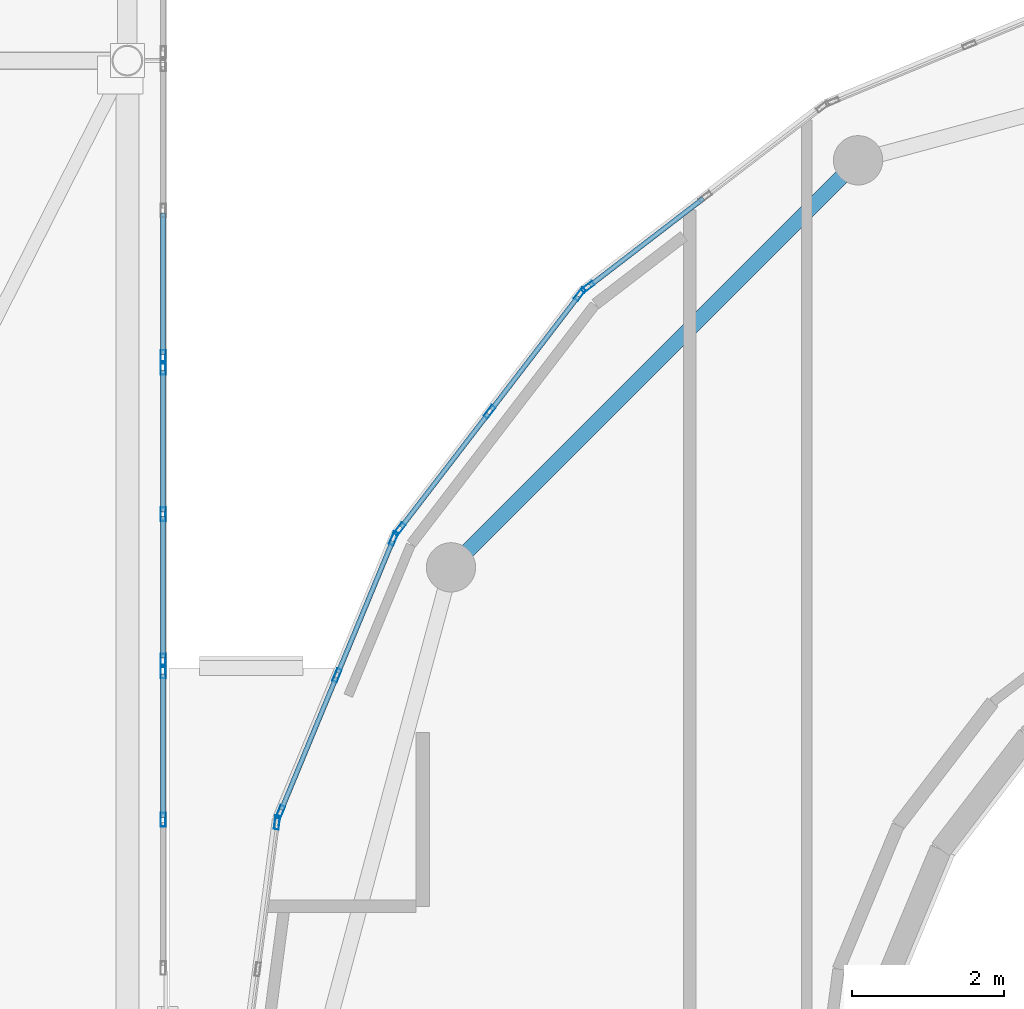
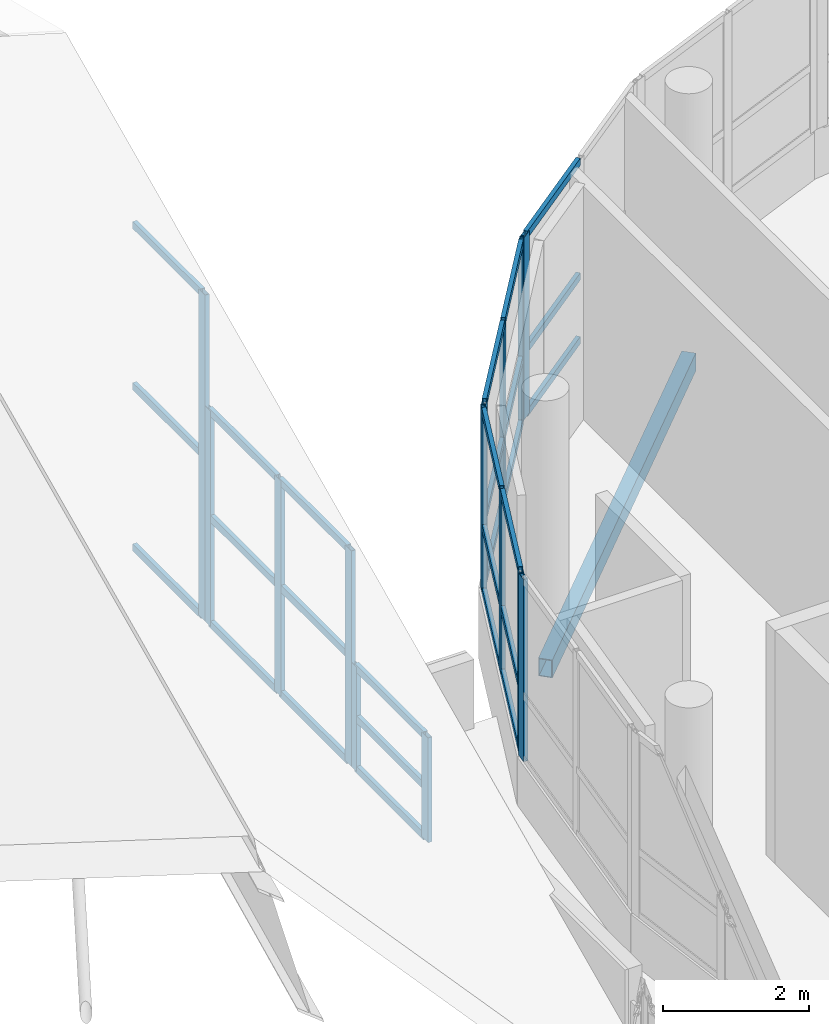
# One storey, part 59 of 184: 41 members, 1 beam, 7 elements without a shape of their own.
"""IFC4 building model written with IfcOpenShell, lengths in metres."""

from ifc_helpers import new_model, si_unit, direction, frame, origin, origin_2d, place, context, subcontext, project, spatial, hollow_rectangle, extrude, material, material_profile, profile_set, type_object, element, aggregate, save


model = new_model("IFC4")

# Units and contexts
model_context = context("Model", 3, precision=1e-05, world=origin(), true_north=direction((0.0, 1.0)))
body_context = subcontext(model_context, "Body", "Model", "MODEL_VIEW")
ifc_project = project(units=[si_unit("LENGTHUNIT", "METRE"), si_unit("AREAUNIT", "SQUARE_METRE"), si_unit("VOLUMEUNIT", "CUBIC_METRE"), si_unit("PLANEANGLEUNIT", "RADIAN"), si_unit("MASSUNIT", "GRAM", prefix="KILO")], contexts=[model_context])

# Site, building, storey
site_placement = place(None, origin())
site = spatial("IfcSite", under=ifc_project, at=site_placement, CompositionType="ELEMENT")
building_placement = place(site_placement, origin())
building = spatial("IfcBuilding", under=site, at=building_placement, Name="Selatvlak General Hospital", CompositionType="ELEMENT")
storey_placement = place(building_placement, frame((0.0, 0.0, 15.0)))
storey = spatial("IfcBuildingStorey", under=building, at=storey_placement, Name="L03", CompositionType="ELEMENT", Elevation=15.0)

# Beam
ifc_material_1 = material(Name="Steel S355", Category="steel")
ifc_material_profile_1 = material_profile(ifc_material_1, hollow_rectangle(XDim=0.199951171875, YDim=0.300048828125, WallThickness=0.011962890625, at=origin_2d()), Name="RHS 300x200x12")
ifc_profile_set_1 = profile_set([ifc_material_profile_1], Name="Steel S355")
beam_type = type_object("IfcBeamType", Name="BM-SP3", PredefinedType="SPANDREL", material=ifc_profile_set_1)
beam_placement = place(storey_placement, frame((90.675048828125, 66.68701171875, -0.489990234375), z_axis=(-0.707106781187, -0.707106781187, 0.0), x_axis=(0.707106781187, -0.707106781187, 0.0)))
element("IfcBeam", 1, at=beam_placement, inside=storey, type_object=beam_type, Name="Beam BMR-L03-1455", PredefinedType="SPANDREL", context=body_context, shape_type="SweptSolid", body=[
    extrude(hollow_rectangle(XDim=0.199951171875, YDim=0.300048828125, WallThickness=0.011962890625, at=origin_2d()), origin(), (0.0, 0.0, 1.0), 7.5830078125),
])

# Curtain wall, member
ifc_material_2 = material(Name="Solar-control Low-E double glazing", Category="glass")
curtain_wall_type_1 = type_object("IfcCurtainWallType", Name="CW-CW-04", PredefinedType="USERDEFINED", material=ifc_material_2)
curtain_wall_1_placement = place(storey_placement, origin())
curtain_wall_1 = element("IfcCurtainWall", 2, at=curtain_wall_1_placement, inside=storey, type_object=curtain_wall_type_1, Name="Glazed facade curtain wall CW-L03-0463", ObjectType="STICK GLAZING WALL", PredefinedType="USERDEFINED")
ifc_material_3 = material(Name="Dark anodised aluminium mullion", Category="aluminium")
ifc_material_profile_2 = material_profile(ifc_material_3, hollow_rectangle(XDim=0.06494140625, YDim=0.179931640625, WallThickness=0.00439453125, at=origin_2d()), Name="AL-MUL 65x180x4.5")
ifc_profile_set_2 = profile_set([ifc_material_profile_2], Name="Dark anodised aluminium mullion")
member_type_1 = type_object("IfcMemberType", Name="CWM-02", PredefinedType="MULLION", material=ifc_profile_set_2)
member_1_placement = place(storey_placement, frame((83.021728515625, 57.9638671875, 0.85009765625), z_axis=(0.0, 0.0, 1.0), x_axis=(-0.991466306804, 0.130363194467, 0.0)))
member_1 = element("IfcMember", 3, at=member_1_placement, type_object=member_type_1, Name="CW-04 mullion 3", PredefinedType="MULLION", context=body_context, shape_type="SweptSolid", body=[
    extrude(hollow_rectangle(XDim=0.06494140625, YDim=0.179931640625, WallThickness=0.00439453125, at=origin_2d()), origin(), (0.0, 0.0, 1.0), 3.044921875),
])
aggregate(curtain_wall_1, [member_1])

# Curtain wall, members
curtain_wall_type_2 = type_object("IfcCurtainWallType", Name="CW-CW-05", PredefinedType="USERDEFINED", material=ifc_material_2)
curtain_wall_2_placement = place(storey_placement, origin())
curtain_wall_2 = element("IfcCurtainWall", 4, at=curtain_wall_2_placement, inside=storey, type_object=curtain_wall_type_2, Name="Glazed facade curtain wall CW-L03-0464", ObjectType="STICK GLAZING WALL", PredefinedType="USERDEFINED")
member_2_placement = place(storey_placement, frame((83.0654296875, 58.10107421875, 0.85009765625), z_axis=(0.0, 0.0, 1.0), x_axis=(-0.92394001164, 0.382537390187, 0.0)))
member_2 = element("IfcMember", 5, at=member_2_placement, type_object=member_type_1, Name="CW-05 mullion 1", PredefinedType="MULLION", context=body_context, shape_type="SweptSolid", body=[
    extrude(hollow_rectangle(XDim=0.06494140625, YDim=0.179931640625, WallThickness=0.00439453125, at=origin_2d()), origin(), (0.0, 0.0, 1.0), 3.044921875),
])
member_3_placement = place(storey_placement, frame((83.8115234375, 59.903076171875, 0.85009765625), z_axis=(0.0, 0.0, 1.0), x_axis=(-0.92394001164, 0.382537390187, 0.0)))
member_3 = element("IfcMember", 6, at=member_3_placement, type_object=member_type_1, Name="CW-05 mullion 2", PredefinedType="MULLION", context=body_context, shape_type="SweptSolid", body=[
    extrude(hollow_rectangle(XDim=0.06494140625, YDim=0.179931640625, WallThickness=0.00439453125, at=origin_2d()), origin(), (0.0, 0.0, 1.0), 3.044921875),
])
member_4_placement = place(storey_placement, frame((84.5576171875, 61.705078125, 0.85009765625), z_axis=(0.0, 0.0, 1.0), x_axis=(-0.92394001164, 0.382537390187, 0.0)))
member_4 = element("IfcMember", 7, at=member_4_placement, type_object=member_type_1, Name="CW-05 mullion 3", PredefinedType="MULLION", context=body_context, shape_type="SweptSolid", body=[
    extrude(hollow_rectangle(XDim=0.06494140625, YDim=0.179931640625, WallThickness=0.00439453125, at=origin_2d()), origin(), (0.0, 0.0, 1.0), 3.044921875),
])

curtain_wall_3_placement = place(storey_placement, origin())
curtain_wall_3 = element("IfcCurtainWall", 8, at=curtain_wall_3_placement, inside=storey, type_object=curtain_wall_type_1, Name="Glazed facade curtain wall CW-L03-0465", ObjectType="STICK GLAZING WALL", PredefinedType="USERDEFINED")
member_5_placement = place(storey_placement, frame((84.634765625, 61.82666015625, 0.85009765625), z_axis=(0.0, 0.0, 1.0), x_axis=(-0.793232853917, 0.608918417743, 0.0)))
member_5 = element("IfcMember", 9, at=member_5_placement, type_object=member_type_1, Name="CW-04 mullion 1", PredefinedType="MULLION", context=body_context, shape_type="SweptSolid", body=[
    extrude(hollow_rectangle(XDim=0.06494140625, YDim=0.179931640625, WallThickness=0.00439453125, at=origin_2d()), origin(), (0.0, 0.0, 1.0), 3.044921875),
])
member_6_placement = place(storey_placement, frame((85.822509765625, 63.3740234375, 0.85009765625), z_axis=(0.0, 0.0, 1.0), x_axis=(-0.793232853917, 0.608918417743, 0.0)))
member_6 = element("IfcMember", 10, at=member_6_placement, type_object=member_type_1, Name="CW-04 mullion 2", PredefinedType="MULLION", context=body_context, shape_type="SweptSolid", body=[
    extrude(hollow_rectangle(XDim=0.06494140625, YDim=0.179931640625, WallThickness=0.00439453125, at=origin_2d()), origin(), (0.0, 0.0, 1.0), 3.044921875),
])
member_7_placement = place(storey_placement, frame((87.01025390625, 64.921142578125, 0.85009765625), z_axis=(0.0, 0.0, 1.0), x_axis=(-0.793232853917, 0.608918417743, 0.0)))
member_7 = element("IfcMember", 11, at=member_7_placement, type_object=member_type_1, Name="CW-04 mullion 3", PredefinedType="MULLION", context=body_context, shape_type="SweptSolid", body=[
    extrude(hollow_rectangle(XDim=0.06494140625, YDim=0.179931640625, WallThickness=0.00439453125, at=origin_2d()), origin(), (0.0, 0.0, 1.0), 3.044921875),
])

# Curtain wall, member
curtain_wall_4_placement = place(storey_placement, origin())
curtain_wall_4 = element("IfcCurtainWall", 12, at=curtain_wall_4_placement, inside=storey, type_object=curtain_wall_type_2, Name="Glazed facade curtain wall CW-L03-0466", ObjectType="STICK GLAZING WALL", PredefinedType="USERDEFINED")
member_8_placement = place(storey_placement, frame((87.11669921875, 65.017822265625, 0.85009765625), z_axis=(0.0, 0.0, 1.0), x_axis=(-0.608918417743, 0.793232853917, 0.0)))
member_8 = element("IfcMember", 13, at=member_8_placement, type_object=member_type_1, Name="CW-05 mullion 1", PredefinedType="MULLION", context=body_context, shape_type="SweptSolid", body=[
    extrude(hollow_rectangle(XDim=0.06494140625, YDim=0.179931640625, WallThickness=0.00439453125, at=origin_2d()), origin(), (0.0, 0.0, 1.0), 3.044921875),
])

# Curtain wall, members
curtain_wall_5_placement = place(storey_placement, origin())
curtain_wall_5 = element("IfcCurtainWall", 14, at=curtain_wall_5_placement, inside=storey, type_object=curtain_wall_type_2, Name="Glazed facade curtain wall CW-L03-0730", ObjectType="STICK GLAZING WALL", PredefinedType="USERDEFINED")
member_9_placement = place(storey_placement, frame((81.52001953125, 58.0, 0.0), z_axis=(0.0, 0.0, 1.0), x_axis=(-1.0, 0.0, 0.0)))
member_9 = element("IfcMember", 15, at=member_9_placement, type_object=member_type_1, Name="CW-05 mullion 2", PredefinedType="MULLION", context=body_context, shape_type="SweptSolid", body=[
    extrude(hollow_rectangle(XDim=0.06494140625, YDim=0.179931640625, WallThickness=0.00439453125, at=origin_2d()), origin(), (0.0, 0.0, 1.0), 1.75),
])
member_10_placement = place(storey_placement, frame((81.52001953125, 59.952392578125, 0.0), z_axis=(0.0, 0.0, 1.0), x_axis=(-1.0, 0.0, 0.0)))
member_10 = element("IfcMember", 16, at=member_10_placement, type_object=member_type_1, Name="CW-05 mullion 3", PredefinedType="MULLION", context=body_context, shape_type="SweptSolid", body=[
    extrude(hollow_rectangle(XDim=0.06494140625, YDim=0.179931640625, WallThickness=0.00439453125, at=origin_2d()), origin(), (0.0, 0.0, 1.0), 1.75),
])

curtain_wall_6_placement = place(storey_placement, origin())
curtain_wall_6 = element("IfcCurtainWall", 17, at=curtain_wall_6_placement, inside=storey, type_object=curtain_wall_type_2, Name="Glazed facade curtain wall CW-L03-0731", ObjectType="STICK GLAZING WALL", PredefinedType="USERDEFINED")
member_11_placement = place(storey_placement, frame((81.52001953125, 60.097412109375, 0.0), z_axis=(0.0, 0.0, 1.0), x_axis=(-1.0, 0.0, 0.0)))
member_11 = element("IfcMember", 18, at=member_11_placement, type_object=member_type_1, Name="CW-05 mullion 1", PredefinedType="MULLION", context=body_context, shape_type="SweptSolid", body=[
    extrude(hollow_rectangle(XDim=0.06494140625, YDim=0.179931640625, WallThickness=0.00439453125, at=origin_2d()), origin(), (0.0, 0.0, 1.0), 3.60009765625),
])
member_12_placement = place(storey_placement, frame((81.52001953125, 62.02490234375, 0.0), z_axis=(0.0, 0.0, 1.0), x_axis=(-1.0, 0.0, 0.0)))
member_12 = element("IfcMember", 19, at=member_12_placement, type_object=member_type_1, Name="CW-05 mullion 2", PredefinedType="MULLION", context=body_context, shape_type="SweptSolid", body=[
    extrude(hollow_rectangle(XDim=0.06494140625, YDim=0.179931640625, WallThickness=0.00439453125, at=origin_2d()), origin(), (0.0, 0.0, 1.0), 3.60009765625),
])
member_13_placement = place(storey_placement, frame((81.52001953125, 63.952392578125, 0.0), z_axis=(0.0, 0.0, 1.0), x_axis=(-1.0, 0.0, 0.0)))
member_13 = element("IfcMember", 20, at=member_13_placement, type_object=member_type_1, Name="CW-05 mullion 3", PredefinedType="MULLION", context=body_context, shape_type="SweptSolid", body=[
    extrude(hollow_rectangle(XDim=0.06494140625, YDim=0.179931640625, WallThickness=0.00439453125, at=origin_2d()), origin(), (0.0, 0.0, 1.0), 3.60009765625),
])

# Curtain wall, member
curtain_wall_7_placement = place(storey_placement, origin())
curtain_wall_7 = element("IfcCurtainWall", 21, at=curtain_wall_7_placement, inside=storey, type_object=curtain_wall_type_2, Name="Glazed facade curtain wall CW-L03-0732", ObjectType="STICK GLAZING WALL", PredefinedType="USERDEFINED")
member_14_placement = place(storey_placement, frame((81.52001953125, 64.097412109375, 0.0), z_axis=(0.0, 0.0, 1.0), x_axis=(-1.0, 0.0, 0.0)))
member_14 = element("IfcMember", 22, at=member_14_placement, type_object=member_type_1, Name="CW-05 mullion 1", PredefinedType="MULLION", context=body_context, shape_type="SweptSolid", body=[
    extrude(hollow_rectangle(XDim=0.06494140625, YDim=0.179931640625, WallThickness=0.00439453125, at=origin_2d()), origin(), (0.0, 0.0, 1.0), 5.449951171875),
])

# Member
ifc_material_profile_3 = material_profile(ifc_material_3, hollow_rectangle(XDim=0.06494140625, YDim=0.1201171875, WallThickness=0.00390625, at=origin_2d()), Name="AL-TRN 65x120x4")
ifc_profile_set_3 = profile_set([ifc_material_profile_3], Name="Dark anodised aluminium mullion")
member_type_2 = type_object("IfcMemberType", Name="CWT-01", PredefinedType="USERDEFINED", material=ifc_profile_set_3)
member_15_placement = place(storey_placement, frame((83.077880859375, 58.131103515625, 0.882568359375), z_axis=(0.382527162335, 0.923944246195, 0.0), x_axis=(-0.923944246195, 0.382527162335, 0.0)))
member_15 = element("IfcMember", 23, at=member_15_placement, type_object=member_type_2, Name="CW-05 transom 1.1", ObjectType="TRANSOM", PredefinedType="USERDEFINED", context=body_context, shape_type="SweptSolid", body=[
    extrude(hollow_rectangle(XDim=0.06494140625, YDim=0.1201171875, WallThickness=0.00390625, at=origin_2d()), origin(), (0.0, 0.0, 1.0), 1.88525390625),
])

member_16_placement = place(storey_placement, frame((83.077880859375, 58.131103515625, 1.947021484375), z_axis=(0.382527162335, 0.923944246195, 0.0), x_axis=(-0.923944246195, 0.382527162335, 0.0)))
member_16 = element("IfcMember", 24, at=member_16_placement, type_object=member_type_2, Name="CW-05 transom 1.2", ObjectType="TRANSOM", PredefinedType="USERDEFINED", context=body_context, shape_type="SweptSolid", body=[
    extrude(hollow_rectangle(XDim=0.06494140625, YDim=0.1201171875, WallThickness=0.00390625, at=origin_2d()), origin(), (0.0, 0.0, 1.0), 1.88525390625),
])

member_17_placement = place(storey_placement, frame((83.077880859375, 58.131103515625, 3.862548828125), z_axis=(0.382527162335, 0.923944246195, 0.0), x_axis=(-0.923944246195, 0.382527162335, 0.0)))
member_17 = element("IfcMember", 25, at=member_17_placement, type_object=member_type_2, Name="CW-05 transom 1.3", ObjectType="TRANSOM", PredefinedType="USERDEFINED", context=body_context, shape_type="SweptSolid", body=[
    extrude(hollow_rectangle(XDim=0.06494140625, YDim=0.1201171875, WallThickness=0.00390625, at=origin_2d()), origin(), (0.0, 0.0, 1.0), 1.88525390625),
])

member_18_placement = place(storey_placement, frame((83.823974609375, 59.93310546875, 0.882568359375), z_axis=(0.382527162335, 0.923944246195, 0.0), x_axis=(-0.923944246195, 0.382527162335, 0.0)))
member_18 = element("IfcMember", 26, at=member_18_placement, type_object=member_type_2, Name="CW-05 transom 2.1", ObjectType="TRANSOM", PredefinedType="USERDEFINED", context=body_context, shape_type="SweptSolid", body=[
    extrude(hollow_rectangle(XDim=0.06494140625, YDim=0.1201171875, WallThickness=0.00390625, at=origin_2d()), origin(), (0.0, 0.0, 1.0), 1.88525390625),
])

member_19_placement = place(storey_placement, frame((83.823974609375, 59.93310546875, 1.947021484375), z_axis=(0.382527162335, 0.923944246195, 0.0), x_axis=(-0.923944246195, 0.382527162335, 0.0)))
member_19 = element("IfcMember", 27, at=member_19_placement, type_object=member_type_2, Name="CW-05 transom 2.2", ObjectType="TRANSOM", PredefinedType="USERDEFINED", context=body_context, shape_type="SweptSolid", body=[
    extrude(hollow_rectangle(XDim=0.06494140625, YDim=0.1201171875, WallThickness=0.00390625, at=origin_2d()), origin(), (0.0, 0.0, 1.0), 1.88525390625),
])

member_20_placement = place(storey_placement, frame((83.823974609375, 59.93310546875, 3.862548828125), z_axis=(0.382527162335, 0.923944246195, 0.0), x_axis=(-0.923944246195, 0.382527162335, 0.0)))
member_20 = element("IfcMember", 28, at=member_20_placement, type_object=member_type_2, Name="CW-05 transom 2.3", ObjectType="TRANSOM", PredefinedType="USERDEFINED", context=body_context, shape_type="SweptSolid", body=[
    extrude(hollow_rectangle(XDim=0.06494140625, YDim=0.1201171875, WallThickness=0.00390625, at=origin_2d()), origin(), (0.0, 0.0, 1.0), 1.88525390625),
])

aggregate(curtain_wall_2, [member_2, member_3, member_4, member_15, member_16, member_17, member_18, member_19, member_20])

member_21_placement = place(storey_placement, frame((84.654541015625, 61.8525390625, 0.882568359375), z_axis=(0.608953326487, 0.793206055297, 0.0), x_axis=(-0.793206055297, 0.608953326487, 0.0)))
member_21 = element("IfcMember", 29, at=member_21_placement, type_object=member_type_2, Name="CW-04 transom 1.1", ObjectType="TRANSOM", PredefinedType="USERDEFINED", context=body_context, shape_type="SweptSolid", body=[
    extrude(hollow_rectangle(XDim=0.06494140625, YDim=0.1201171875, WallThickness=0.00390625, at=origin_2d()), origin(), (0.0, 0.0, 1.0), 1.885498046875),
])

member_22_placement = place(storey_placement, frame((84.654541015625, 61.8525390625, 1.947021484375), z_axis=(0.608953326487, 0.793206055297, 0.0), x_axis=(-0.793206055297, 0.608953326487, 0.0)))
member_22 = element("IfcMember", 30, at=member_22_placement, type_object=member_type_2, Name="CW-04 transom 1.2", ObjectType="TRANSOM", PredefinedType="USERDEFINED", context=body_context, shape_type="SweptSolid", body=[
    extrude(hollow_rectangle(XDim=0.06494140625, YDim=0.1201171875, WallThickness=0.00390625, at=origin_2d()), origin(), (0.0, 0.0, 1.0), 1.885498046875),
])

member_23_placement = place(storey_placement, frame((84.654541015625, 61.8525390625, 3.862548828125), z_axis=(0.608953326487, 0.793206055297, 0.0), x_axis=(-0.793206055297, 0.608953326487, 0.0)))
member_23 = element("IfcMember", 31, at=member_23_placement, type_object=member_type_2, Name="CW-04 transom 1.3", ObjectType="TRANSOM", PredefinedType="USERDEFINED", context=body_context, shape_type="SweptSolid", body=[
    extrude(hollow_rectangle(XDim=0.06494140625, YDim=0.1201171875, WallThickness=0.00390625, at=origin_2d()), origin(), (0.0, 0.0, 1.0), 1.885498046875),
])

member_24_placement = place(storey_placement, frame((85.84228515625, 63.399658203125, 0.882568359375), z_axis=(0.608890787968, 0.793254062913, 0.0), x_axis=(-0.793254062913, 0.608890787968, 0.0)))
member_24 = element("IfcMember", 32, at=member_24_placement, type_object=member_type_2, Name="CW-04 transom 2.1", ObjectType="TRANSOM", PredefinedType="USERDEFINED", context=body_context, shape_type="SweptSolid", body=[
    extrude(hollow_rectangle(XDim=0.06494140625, YDim=0.1201171875, WallThickness=0.00390625, at=origin_2d()), origin(), (0.0, 0.0, 1.0), 1.8857421875),
])

member_25_placement = place(storey_placement, frame((85.84228515625, 63.399658203125, 1.947021484375), z_axis=(0.608890787968, 0.793254062913, 0.0), x_axis=(-0.793254062913, 0.608890787968, 0.0)))
member_25 = element("IfcMember", 33, at=member_25_placement, type_object=member_type_2, Name="CW-04 transom 2.2", ObjectType="TRANSOM", PredefinedType="USERDEFINED", context=body_context, shape_type="SweptSolid", body=[
    extrude(hollow_rectangle(XDim=0.06494140625, YDim=0.1201171875, WallThickness=0.00390625, at=origin_2d()), origin(), (0.0, 0.0, 1.0), 1.8857421875),
])

member_26_placement = place(storey_placement, frame((85.84228515625, 63.399658203125, 3.862548828125), z_axis=(0.608890787968, 0.793254062913, 0.0), x_axis=(-0.793254062913, 0.608890787968, 0.0)))
member_26 = element("IfcMember", 34, at=member_26_placement, type_object=member_type_2, Name="CW-04 transom 2.3", ObjectType="TRANSOM", PredefinedType="USERDEFINED", context=body_context, shape_type="SweptSolid", body=[
    extrude(hollow_rectangle(XDim=0.06494140625, YDim=0.1201171875, WallThickness=0.00390625, at=origin_2d()), origin(), (0.0, 0.0, 1.0), 1.8857421875),
])

aggregate(curtain_wall_3, [member_5, member_6, member_7, member_21, member_22, member_23, member_24, member_25, member_26])

member_27_placement = place(storey_placement, frame((87.142578125, 65.03759765625, 0.882568359375), z_axis=(0.793206055297, 0.608953326487, 0.0), x_axis=(-0.608953326487, 0.793206055297, 0.0)))
member_27 = element("IfcMember", 35, at=member_27_placement, type_object=member_type_2, Name="CW-05 transom 1.1", ObjectType="TRANSOM", PredefinedType="USERDEFINED", context=body_context, shape_type="SweptSolid", body=[
    extrude(hollow_rectangle(XDim=0.06494140625, YDim=0.1201171875, WallThickness=0.00390625, at=origin_2d()), origin(), (0.0, 0.0, 1.0), 1.885498046875),
])

member_28_placement = place(storey_placement, frame((87.142578125, 65.03759765625, 1.947021484375), z_axis=(0.793206055297, 0.608953326487, 0.0), x_axis=(-0.608953326487, 0.793206055297, 0.0)))
member_28 = element("IfcMember", 36, at=member_28_placement, type_object=member_type_2, Name="CW-05 transom 1.2", ObjectType="TRANSOM", PredefinedType="USERDEFINED", context=body_context, shape_type="SweptSolid", body=[
    extrude(hollow_rectangle(XDim=0.06494140625, YDim=0.1201171875, WallThickness=0.00390625, at=origin_2d()), origin(), (0.0, 0.0, 1.0), 1.885498046875),
])

member_29_placement = place(storey_placement, frame((87.142578125, 65.03759765625, 3.862548828125), z_axis=(0.793206055297, 0.608953326487, 0.0), x_axis=(-0.608953326487, 0.793206055297, 0.0)))
member_29 = element("IfcMember", 37, at=member_29_placement, type_object=member_type_2, Name="CW-05 transom 1.3", ObjectType="TRANSOM", PredefinedType="USERDEFINED", context=body_context, shape_type="SweptSolid", body=[
    extrude(hollow_rectangle(XDim=0.06494140625, YDim=0.1201171875, WallThickness=0.00390625, at=origin_2d()), origin(), (0.0, 0.0, 1.0), 1.885498046875),
])

aggregate(curtain_wall_4, [member_8, member_27, member_28, member_29])

member_30_placement = place(storey_placement, frame((81.52001953125, 58.032470703125, 0.032470703125), z_axis=(0.0, 1.0, 0.0), x_axis=(-1.0, 0.0, 0.0)))
member_30 = element("IfcMember", 38, at=member_30_placement, type_object=member_type_2, Name="CW-05 transom 2.1", ObjectType="TRANSOM", PredefinedType="USERDEFINED", context=body_context, shape_type="SweptSolid", body=[
    extrude(hollow_rectangle(XDim=0.06494140625, YDim=0.1201171875, WallThickness=0.00390625, at=origin_2d()), origin(), (0.0, 0.0, 1.0), 1.887451171875),
])

member_31_placement = place(storey_placement, frame((81.52001953125, 58.032470703125, 0.875), z_axis=(0.0, 1.0, 0.0), x_axis=(-1.0, 0.0, 0.0)))
member_31 = element("IfcMember", 39, at=member_31_placement, type_object=member_type_2, Name="CW-05 transom 2.2", ObjectType="TRANSOM", PredefinedType="USERDEFINED", context=body_context, shape_type="SweptSolid", body=[
    extrude(hollow_rectangle(XDim=0.06494140625, YDim=0.1201171875, WallThickness=0.00390625, at=origin_2d()), origin(), (0.0, 0.0, 1.0), 1.887451171875),
])

member_32_placement = place(storey_placement, frame((81.52001953125, 58.032470703125, 1.717529296875), z_axis=(0.0, 1.0, 0.0), x_axis=(-1.0, 0.0, 0.0)))
member_32 = element("IfcMember", 40, at=member_32_placement, type_object=member_type_2, Name="CW-05 transom 2.3", ObjectType="TRANSOM", PredefinedType="USERDEFINED", context=body_context, shape_type="SweptSolid", body=[
    extrude(hollow_rectangle(XDim=0.06494140625, YDim=0.1201171875, WallThickness=0.00390625, at=origin_2d()), origin(), (0.0, 0.0, 1.0), 1.887451171875),
])

aggregate(curtain_wall_5, [member_9, member_10, member_30, member_31, member_32])

member_33_placement = place(storey_placement, frame((81.52001953125, 60.1298828125, 0.032470703125), z_axis=(0.0, 1.0, 0.0), x_axis=(-1.0, 0.0, 0.0)))
member_33 = element("IfcMember", 41, at=member_33_placement, type_object=member_type_2, Name="CW-05 transom 1.1", ObjectType="TRANSOM", PredefinedType="USERDEFINED", context=body_context, shape_type="SweptSolid", body=[
    extrude(hollow_rectangle(XDim=0.06494140625, YDim=0.1201171875, WallThickness=0.00390625, at=origin_2d()), origin(), (0.0, 0.0, 1.0), 1.862548828125),
])

member_34_placement = place(storey_placement, frame((81.52001953125, 60.1298828125, 1.800048828125), z_axis=(0.0, 1.0, 0.0), x_axis=(-1.0, 0.0, 0.0)))
member_34 = element("IfcMember", 42, at=member_34_placement, type_object=member_type_2, Name="CW-05 transom 1.2", ObjectType="TRANSOM", PredefinedType="USERDEFINED", context=body_context, shape_type="SweptSolid", body=[
    extrude(hollow_rectangle(XDim=0.06494140625, YDim=0.1201171875, WallThickness=0.00390625, at=origin_2d()), origin(), (0.0, 0.0, 1.0), 1.862548828125),
])

member_35_placement = place(storey_placement, frame((81.52001953125, 60.1298828125, 3.5673828125), z_axis=(0.0, 1.0, 0.0), x_axis=(-1.0, 0.0, 0.0)))
member_35 = element("IfcMember", 43, at=member_35_placement, type_object=member_type_2, Name="CW-05 transom 1.3", ObjectType="TRANSOM", PredefinedType="USERDEFINED", context=body_context, shape_type="SweptSolid", body=[
    extrude(hollow_rectangle(XDim=0.06494140625, YDim=0.1201171875, WallThickness=0.00390625, at=origin_2d()), origin(), (0.0, 0.0, 1.0), 1.862548828125),
])

member_36_placement = place(storey_placement, frame((81.52001953125, 62.0576171875, 0.032470703125), z_axis=(0.0, 1.0, 0.0), x_axis=(-1.0, 0.0, 0.0)))
member_36 = element("IfcMember", 44, at=member_36_placement, type_object=member_type_2, Name="CW-05 transom 2.1", ObjectType="TRANSOM", PredefinedType="USERDEFINED", context=body_context, shape_type="SweptSolid", body=[
    extrude(hollow_rectangle(XDim=0.06494140625, YDim=0.1201171875, WallThickness=0.00390625, at=origin_2d()), origin(), (0.0, 0.0, 1.0), 1.8623046875),
])

member_37_placement = place(storey_placement, frame((81.52001953125, 62.0576171875, 1.800048828125), z_axis=(0.0, 1.0, 0.0), x_axis=(-1.0, 0.0, 0.0)))
member_37 = element("IfcMember", 45, at=member_37_placement, type_object=member_type_2, Name="CW-05 transom 2.2", ObjectType="TRANSOM", PredefinedType="USERDEFINED", context=body_context, shape_type="SweptSolid", body=[
    extrude(hollow_rectangle(XDim=0.06494140625, YDim=0.1201171875, WallThickness=0.00390625, at=origin_2d()), origin(), (0.0, 0.0, 1.0), 1.8623046875),
])

member_38_placement = place(storey_placement, frame((81.52001953125, 62.0576171875, 3.5673828125), z_axis=(0.0, 1.0, 0.0), x_axis=(-1.0, 0.0, 0.0)))
member_38 = element("IfcMember", 46, at=member_38_placement, type_object=member_type_2, Name="CW-05 transom 2.3", ObjectType="TRANSOM", PredefinedType="USERDEFINED", context=body_context, shape_type="SweptSolid", body=[
    extrude(hollow_rectangle(XDim=0.06494140625, YDim=0.1201171875, WallThickness=0.00390625, at=origin_2d()), origin(), (0.0, 0.0, 1.0), 1.8623046875),
])

aggregate(curtain_wall_6, [member_11, member_12, member_13, member_33, member_34, member_35, member_36, member_37, member_38])

member_39_placement = place(storey_placement, frame((81.52001953125, 64.1298828125, 0.032470703125), z_axis=(0.0, 1.0, 0.0), x_axis=(-1.0, 0.0, 0.0)))
member_39 = element("IfcMember", 47, at=member_39_placement, type_object=member_type_2, Name="CW-05 transom 1.1", ObjectType="TRANSOM", PredefinedType="USERDEFINED", context=body_context, shape_type="SweptSolid", body=[
    extrude(hollow_rectangle(XDim=0.06494140625, YDim=0.1201171875, WallThickness=0.00390625, at=origin_2d()), origin(), (0.0, 0.0, 1.0), 1.862548828125),
])

member_40_placement = place(storey_placement, frame((81.52001953125, 64.1298828125, 2.72509765625), z_axis=(0.0, 1.0, 0.0), x_axis=(-1.0, 0.0, 0.0)))
member_40 = element("IfcMember", 48, at=member_40_placement, type_object=member_type_2, Name="CW-05 transom 1.2", ObjectType="TRANSOM", PredefinedType="USERDEFINED", context=body_context, shape_type="SweptSolid", body=[
    extrude(hollow_rectangle(XDim=0.06494140625, YDim=0.1201171875, WallThickness=0.00390625, at=origin_2d()), origin(), (0.0, 0.0, 1.0), 1.862548828125),
])

member_41_placement = place(storey_placement, frame((81.52001953125, 64.1298828125, 5.41748046875), z_axis=(0.0, 1.0, 0.0), x_axis=(-1.0, 0.0, 0.0)))
member_41 = element("IfcMember", 49, at=member_41_placement, type_object=member_type_2, Name="CW-05 transom 1.3", ObjectType="TRANSOM", PredefinedType="USERDEFINED", context=body_context, shape_type="SweptSolid", body=[
    extrude(hollow_rectangle(XDim=0.06494140625, YDim=0.1201171875, WallThickness=0.00390625, at=origin_2d()), origin(), (0.0, 0.0, 1.0), 1.862548828125),
])

aggregate(curtain_wall_7, [member_14, member_39, member_40, member_41])

save(model, "model.ifc")
